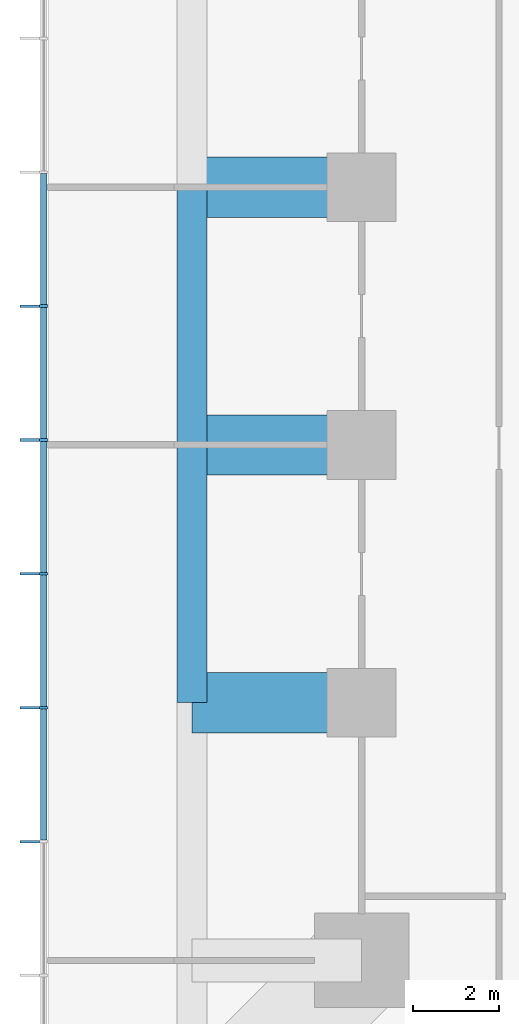
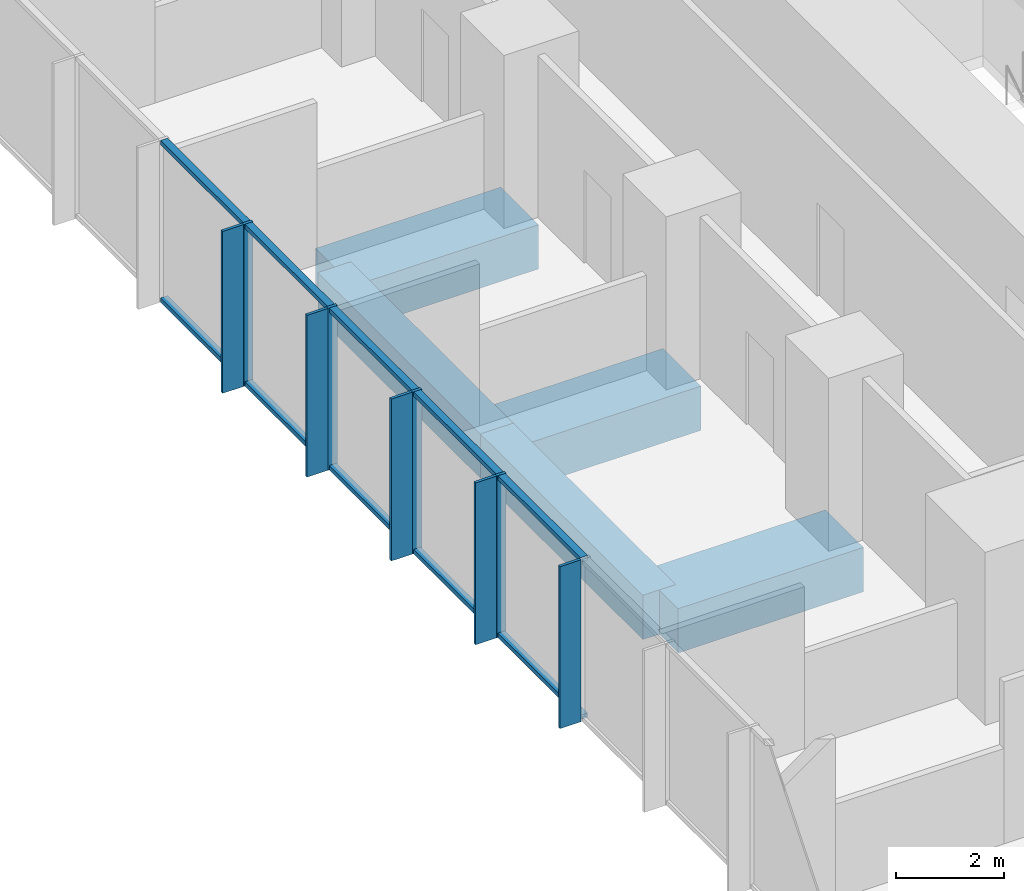
# One storey, part 3 of 11: 19 members, 5 beams, 1 element without a shape of its own.
"""IFC4 building model written with IfcOpenShell, lengths in metres."""

from ifc_helpers import new_model, si_unit, direction, frame, origin, origin_2d, place, context, subcontext, project, spatial, rectangle, extrude, material, layer, layer_set, material_profile, profile_set, type_object, element, aggregate, save


model = new_model("IFC4")

# Units and contexts
model_context = context("Model", 3, precision=1e-05, world=origin(), true_north=direction((0.0, 1.0)))
body_context = subcontext(model_context, "Body", "Model", "MODEL_VIEW")
ifc_project = project(units=[si_unit("LENGTHUNIT", "METRE"), si_unit("AREAUNIT", "SQUARE_METRE"), si_unit("VOLUMEUNIT", "CUBIC_METRE"), si_unit("PLANEANGLEUNIT", "RADIAN"), si_unit("MASSUNIT", "GRAM", prefix="KILO")], contexts=[model_context])

# Site, building, storey
site_placement = place(None, origin())
site = spatial("IfcSite", under=ifc_project, at=site_placement, CompositionType="ELEMENT")
building_placement = place(site_placement, origin())
building = spatial("IfcBuilding", under=site, at=building_placement, Name="Highveld Stack Headquarters", CompositionType="ELEMENT")
storey_placement = place(building_placement, frame((0.0, 0.0, 235.699951171875)))
storey = spatial("IfcBuildingStorey", under=building, at=storey_placement, Name="L58", CompositionType="ELEMENT", Elevation=235.699951171875)

# Beams
ifc_material_1 = material(Name="Concrete C60/75", Category="concrete")
ifc_material_profile_1 = material_profile(ifc_material_1, rectangle(XDim=1.39990234375, YDim=1.0, at=origin_2d()), Name="RC 1400x1000")
ifc_profile_set_1 = profile_set([ifc_material_profile_1], Name="Concrete C60/75")
beam_type_1 = type_object("IfcBeamType", Name="CANTILEVER RIB RC 1400x1000", PredefinedType="USERDEFINED", material=ifc_profile_set_1)
for number, where, z_axis, x_axis, name in (
    (1, (-12.0, 0.0, -0.75), (-1.0, 0.0, 0.0), (0.0, -1.0, 0.0), "Cantilever rib 4/E L58"),
    (2, (-12.0, 6.0, -0.75), (-1.0, 0.0, 0.0), (0.0, -1.0, 0.0), "Cantilever rib 4/F L58"),
    (3, (-12.0, 12.0, -0.75), (-1.0, 0.0, 0.0), (0.0, -1.0, 0.0), "Cantilever rib 4/G L58"),
):
    element("IfcBeam", number, at=place(storey_placement, frame(where, z_axis=z_axis, x_axis=x_axis)), inside=storey, type_object=beam_type_1, Name=name, ObjectType="CANTILEVER RIB", PredefinedType="USERDEFINED", context=body_context, shape_type="SweptSolid", body=[
        extrude(rectangle(XDim=1.39990234375, YDim=1.0, at=origin_2d()), origin(), (0.0, 0.0, 1.0), 3.949951171875),
    ])

# Curtain wall, members
ifc_material_2 = material(Name="Aluminium bronze anodised", Category="aluminium")
ifc_layer = layer(ifc_material_2, 0.199951171875)
ifc_layer_set = layer_set([ifc_layer], Name="Aluminium bronze anodised")
curtain_wall_type = type_object("IfcCurtainWallType", Name="CW1 TOWER UNITISED CURTAIN WALL", PredefinedType="NOTDEFINED", material=ifc_layer_set)
curtain_wall_placement = place(storey_placement, origin())
curtain_wall = element("IfcCurtainWall", 4, at=curtain_wall_placement, inside=storey, type_object=curtain_wall_type, Name="Curtain wall CW1 L58 W", PredefinedType="NOTDEFINED")
ifc_material_3 = material(Name="Aluminium bronze anodised", Category="aluminium")
ifc_material_profile_2 = material_profile(ifc_material_3, rectangle(XDim=0.449951171875, YDim=0.06005859375, at=origin_2d()), Name="FIN 450x60")
ifc_profile_set_2 = profile_set([ifc_material_profile_2], Name="Aluminium bronze anodised")
member_type_1 = type_object("IfcMemberType", Name="CW1 BRONZE FIN 450x60", PredefinedType="USERDEFINED", material=ifc_profile_set_2)
member_1_placement = place(storey_placement, frame((-19.72509765625, 9.23193359375, 0.0), z_axis=(0.0, 0.0, 1.0), x_axis=(1.0, 0.0, 0.0)))
member_1 = element("IfcMember", 5, at=member_1_placement, type_object=member_type_1, Name="CW1 fin L58 4", ObjectType="FIN", PredefinedType="USERDEFINED", context=body_context, shape_type="SweptSolid", body=[
    extrude(rectangle(XDim=0.449951171875, YDim=0.06005859375, at=origin_2d()), origin(), (0.0, 0.0, 1.0), 3.650146484375),
])
member_2_placement = place(storey_placement, frame((-19.72509765625, 6.115966796875, 0.0), z_axis=(0.0, 0.0, 1.0), x_axis=(1.0, 0.0, 0.0)))
member_2 = element("IfcMember", 6, at=member_2_placement, type_object=member_type_1, Name="CW1 fin L58 5", ObjectType="FIN", PredefinedType="USERDEFINED", context=body_context, shape_type="SweptSolid", body=[
    extrude(rectangle(XDim=0.449951171875, YDim=0.06005859375, at=origin_2d()), origin(), (0.0, 0.0, 1.0), 3.650146484375),
])
member_3_placement = place(storey_placement, frame((-19.72509765625, 3.0, 0.0), z_axis=(0.0, 0.0, 1.0), x_axis=(1.0, 0.0, 0.0)))
member_3 = element("IfcMember", 7, at=member_3_placement, type_object=member_type_1, Name="CW1 fin L58 6", ObjectType="FIN", PredefinedType="USERDEFINED", context=body_context, shape_type="SweptSolid", body=[
    extrude(rectangle(XDim=0.449951171875, YDim=0.06005859375, at=origin_2d()), origin(), (0.0, 0.0, 1.0), 3.650146484375),
])
member_4_placement = place(storey_placement, frame((-19.72509765625, -0.115966796875, 0.0), z_axis=(0.0, 0.0, 1.0), x_axis=(1.0, 0.0, 0.0)))
member_4 = element("IfcMember", 8, at=member_4_placement, type_object=member_type_1, Name="CW1 fin L58 7", ObjectType="FIN", PredefinedType="USERDEFINED", context=body_context, shape_type="SweptSolid", body=[
    extrude(rectangle(XDim=0.449951171875, YDim=0.06005859375, at=origin_2d()), origin(), (0.0, 0.0, 1.0), 3.650146484375),
])
member_5_placement = place(storey_placement, frame((-19.72509765625, -3.23193359375, 0.0), z_axis=(0.0, 0.0, 1.0), x_axis=(1.0, 0.0, 0.0)))
member_5 = element("IfcMember", 9, at=member_5_placement, type_object=member_type_1, Name="CW1 fin L58 8", ObjectType="FIN", PredefinedType="USERDEFINED", context=body_context, shape_type="SweptSolid", body=[
    extrude(rectangle(XDim=0.449951171875, YDim=0.06005859375, at=origin_2d()), origin(), (0.0, 0.0, 1.0), 3.650146484375),
])
ifc_material_4 = material(Name="Aluminium bronze anodised", Category="aluminium")
ifc_material_profile_3 = material_profile(ifc_material_4, rectangle(XDim=0.199951171875, YDim=0.06494140625, at=origin_2d()), Name="CW1 MULLION 65x200")
ifc_profile_set_3 = profile_set([ifc_material_profile_3], Name="Aluminium bronze anodised")
member_type_2 = type_object("IfcMemberType", Name="CW1 MULLION 65x200", PredefinedType="MULLION", material=ifc_profile_set_3)
member_6_placement = place(storey_placement, frame((-19.39990234375, 9.23193359375, 0.0), z_axis=(0.0, 0.0, 1.0), x_axis=(1.0, 0.0, 0.0)))
member_6 = element("IfcMember", 10, at=member_6_placement, type_object=member_type_2, Name="CW1 mullion L58 4", PredefinedType="MULLION", context=body_context, shape_type="SweptSolid", body=[
    extrude(rectangle(XDim=0.199951171875, YDim=0.06494140625, at=origin_2d()), origin(), (0.0, 0.0, 1.0), 3.650146484375),
])
member_7_placement = place(storey_placement, frame((-19.39990234375, 6.115966796875, 0.0), z_axis=(0.0, 0.0, 1.0), x_axis=(1.0, 0.0, 0.0)))
member_7 = element("IfcMember", 11, at=member_7_placement, type_object=member_type_2, Name="CW1 mullion L58 5", PredefinedType="MULLION", context=body_context, shape_type="SweptSolid", body=[
    extrude(rectangle(XDim=0.199951171875, YDim=0.06494140625, at=origin_2d()), origin(), (0.0, 0.0, 1.0), 3.650146484375),
])
member_8_placement = place(storey_placement, frame((-19.39990234375, 3.0, 0.0), z_axis=(0.0, 0.0, 1.0), x_axis=(1.0, 0.0, 0.0)))
member_8 = element("IfcMember", 12, at=member_8_placement, type_object=member_type_2, Name="CW1 mullion L58 6", PredefinedType="MULLION", context=body_context, shape_type="SweptSolid", body=[
    extrude(rectangle(XDim=0.199951171875, YDim=0.06494140625, at=origin_2d()), origin(), (0.0, 0.0, 1.0), 3.650146484375),
])
member_9_placement = place(storey_placement, frame((-19.39990234375, -0.115966796875, 0.0), z_axis=(0.0, 0.0, 1.0), x_axis=(1.0, 0.0, 0.0)))
member_9 = element("IfcMember", 13, at=member_9_placement, type_object=member_type_2, Name="CW1 mullion L58 7", PredefinedType="MULLION", context=body_context, shape_type="SweptSolid", body=[
    extrude(rectangle(XDim=0.199951171875, YDim=0.06494140625, at=origin_2d()), origin(), (0.0, 0.0, 1.0), 3.650146484375),
])
ifc_material_5 = material(Name="Aluminium bronze anodised", Category="aluminium")
ifc_material_profile_4 = material_profile(ifc_material_5, rectangle(XDim=0.14990234375, YDim=0.10009765625, at=origin_2d()), Name="CW1 TRANSOM 150x100")
ifc_profile_set_4 = profile_set([ifc_material_profile_4], Name="Aluminium bronze anodised")
member_type_3 = type_object("IfcMemberType", Name="CW1 STACK TRANSOM 150x100", PredefinedType="USERDEFINED", material=ifc_profile_set_4)
member_10_placement = place(storey_placement, frame((-19.39990234375, 12.3154296875, 0.050048828125), z_axis=(0.0, -1.0, 0.0), x_axis=(1.0, 0.0, 0.0)))
member_10 = element("IfcMember", 14, at=member_10_placement, type_object=member_type_3, Name="CW1 transom L58 3.1", ObjectType="TRANSOM", PredefinedType="USERDEFINED", context=body_context, shape_type="SweptSolid", body=[
    extrude(rectangle(XDim=0.14990234375, YDim=0.10009765625, at=origin_2d()), origin(), (0.0, 0.0, 1.0), 3.051025390625),
])
member_11_placement = place(storey_placement, frame((-19.39990234375, 12.3154296875, 3.60009765625), z_axis=(0.0, -1.0, 0.0), x_axis=(1.0, 0.0, 0.0)))
member_11 = element("IfcMember", 15, at=member_11_placement, type_object=member_type_3, Name="CW1 transom L58 3.2", ObjectType="TRANSOM", PredefinedType="USERDEFINED", context=body_context, shape_type="SweptSolid", body=[
    extrude(rectangle(XDim=0.14990234375, YDim=0.10009765625, at=origin_2d()), origin(), (0.0, 0.0, 1.0), 3.051025390625),
])
member_12_placement = place(storey_placement, frame((-19.39990234375, 9.199462890625, 0.050048828125), z_axis=(0.0, -1.0, 0.0), x_axis=(1.0, 0.0, 0.0)))
member_12 = element("IfcMember", 16, at=member_12_placement, type_object=member_type_3, Name="CW1 transom L58 4.1", ObjectType="TRANSOM", PredefinedType="USERDEFINED", context=body_context, shape_type="SweptSolid", body=[
    extrude(rectangle(XDim=0.14990234375, YDim=0.10009765625, at=origin_2d()), origin(), (0.0, 0.0, 1.0), 3.051025390625),
])
member_13_placement = place(storey_placement, frame((-19.39990234375, 9.199462890625, 3.60009765625), z_axis=(0.0, -1.0, 0.0), x_axis=(1.0, 0.0, 0.0)))
member_13 = element("IfcMember", 17, at=member_13_placement, type_object=member_type_3, Name="CW1 transom L58 4.2", ObjectType="TRANSOM", PredefinedType="USERDEFINED", context=body_context, shape_type="SweptSolid", body=[
    extrude(rectangle(XDim=0.14990234375, YDim=0.10009765625, at=origin_2d()), origin(), (0.0, 0.0, 1.0), 3.051025390625),
])
member_14_placement = place(storey_placement, frame((-19.39990234375, 6.08349609375, 0.050048828125), z_axis=(0.0, -1.0, 0.0), x_axis=(1.0, 0.0, 0.0)))
member_14 = element("IfcMember", 18, at=member_14_placement, type_object=member_type_3, Name="CW1 transom L58 5.1", ObjectType="TRANSOM", PredefinedType="USERDEFINED", context=body_context, shape_type="SweptSolid", body=[
    extrude(rectangle(XDim=0.14990234375, YDim=0.10009765625, at=origin_2d()), origin(), (0.0, 0.0, 1.0), 3.051025390625),
])
member_15_placement = place(storey_placement, frame((-19.39990234375, 6.08349609375, 3.60009765625), z_axis=(0.0, -1.0, 0.0), x_axis=(1.0, 0.0, 0.0)))
member_15 = element("IfcMember", 19, at=member_15_placement, type_object=member_type_3, Name="CW1 transom L58 5.2", ObjectType="TRANSOM", PredefinedType="USERDEFINED", context=body_context, shape_type="SweptSolid", body=[
    extrude(rectangle(XDim=0.14990234375, YDim=0.10009765625, at=origin_2d()), origin(), (0.0, 0.0, 1.0), 3.051025390625),
])
member_16_placement = place(storey_placement, frame((-19.39990234375, 2.967529296875, 0.050048828125), z_axis=(0.0, -1.0, 0.0), x_axis=(1.0, 0.0, 0.0)))
member_16 = element("IfcMember", 20, at=member_16_placement, type_object=member_type_3, Name="CW1 transom L58 6.1", ObjectType="TRANSOM", PredefinedType="USERDEFINED", context=body_context, shape_type="SweptSolid", body=[
    extrude(rectangle(XDim=0.14990234375, YDim=0.10009765625, at=origin_2d()), origin(), (0.0, 0.0, 1.0), 3.051025390625),
])
member_17_placement = place(storey_placement, frame((-19.39990234375, 2.967529296875, 3.60009765625), z_axis=(0.0, -1.0, 0.0), x_axis=(1.0, 0.0, 0.0)))
member_17 = element("IfcMember", 21, at=member_17_placement, type_object=member_type_3, Name="CW1 transom L58 6.2", ObjectType="TRANSOM", PredefinedType="USERDEFINED", context=body_context, shape_type="SweptSolid", body=[
    extrude(rectangle(XDim=0.14990234375, YDim=0.10009765625, at=origin_2d()), origin(), (0.0, 0.0, 1.0), 3.051025390625),
])
member_18_placement = place(storey_placement, frame((-19.39990234375, -0.1484375, 0.050048828125), z_axis=(0.0, -1.0, 0.0), x_axis=(1.0, 0.0, 0.0)))
member_18 = element("IfcMember", 22, at=member_18_placement, type_object=member_type_3, Name="CW1 transom L58 7.1", ObjectType="TRANSOM", PredefinedType="USERDEFINED", context=body_context, shape_type="SweptSolid", body=[
    extrude(rectangle(XDim=0.14990234375, YDim=0.10009765625, at=origin_2d()), origin(), (0.0, 0.0, 1.0), 3.051025390625),
])
member_19_placement = place(storey_placement, frame((-19.39990234375, -0.1484375, 3.60009765625), z_axis=(0.0, -1.0, 0.0), x_axis=(1.0, 0.0, 0.0)))
member_19 = element("IfcMember", 23, at=member_19_placement, type_object=member_type_3, Name="CW1 transom L58 7.2", ObjectType="TRANSOM", PredefinedType="USERDEFINED", context=body_context, shape_type="SweptSolid", body=[
    extrude(rectangle(XDim=0.14990234375, YDim=0.10009765625, at=origin_2d()), origin(), (0.0, 0.0, 1.0), 3.051025390625),
])
aggregate(curtain_wall, [member_6, member_1, member_7, member_2, member_8, member_3, member_9, member_4, member_5, member_10, member_11, member_12, member_13, member_14, member_15, member_16, member_17, member_18, member_19])

# Beams
ifc_material_6 = material(Name="Concrete C60/75", Category="concrete")
ifc_material_profile_5 = material_profile(ifc_material_6, rectangle(XDim=0.699951171875, YDim=1.0, at=origin_2d()), Name="RC 700x1000")
ifc_profile_set_5 = profile_set([ifc_material_profile_5], Name="Concrete C60/75")
beam_type_2 = type_object("IfcBeamType", Name="RIB TIP BEAM RC 700x1000", PredefinedType="SPANDREL", material=ifc_profile_set_5)
for number, where, z_axis, x_axis, name in (
    (24, (-15.949951171875, 0.0, -0.75), (0.0, 1.0, 0.0), (-1.0, 0.0, 0.0), "Rib tip beam 4/E to 4/F L58"),
    (25, (-15.949951171875, 6.0, -0.75), (0.0, 1.0, 0.0), (-1.0, 0.0, 0.0), "Rib tip beam 4/F to 4/G L58"),
):
    element("IfcBeam", number, at=place(storey_placement, frame(where, z_axis=z_axis, x_axis=x_axis)), inside=storey, type_object=beam_type_2, Name=name, PredefinedType="SPANDREL", context=body_context, shape_type="SweptSolid", body=[
        extrude(rectangle(XDim=0.699951171875, YDim=1.0, at=origin_2d()), origin(), (0.0, 0.0, 1.0), 6.0),
    ])

save(model, "model.ifc")
